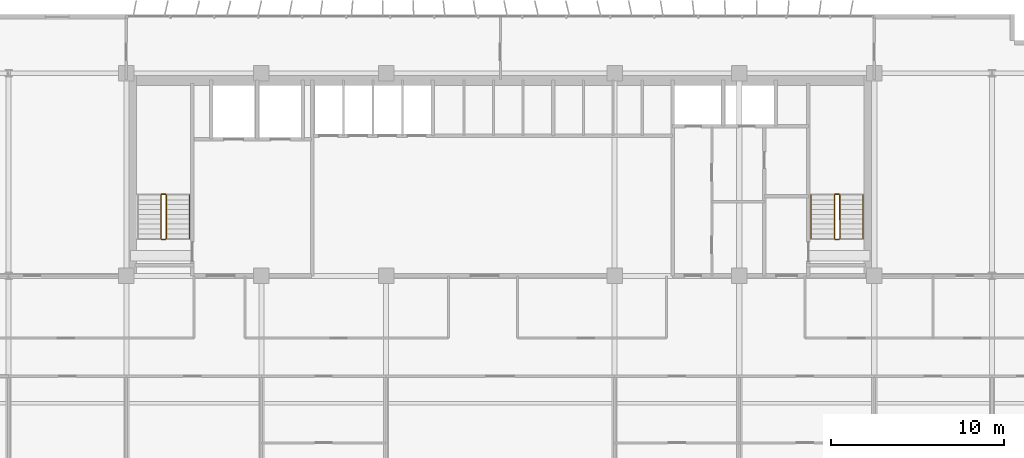
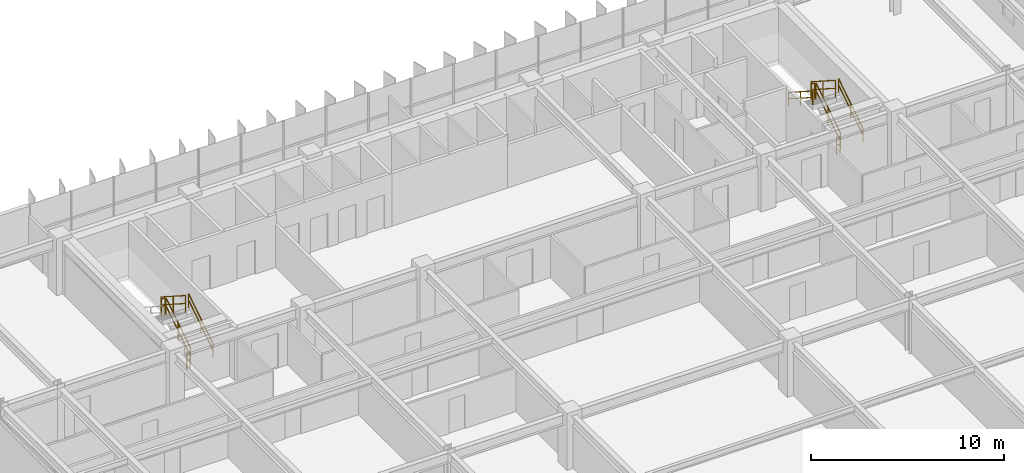
# One storey, part 20 of 21: 11 railings.
"""IFC4 building model written with IfcOpenShell, lengths in metres."""

from ifc_helpers import new_model, si_unit, direction, frame, origin, origin_2d, place, context, subcontext, project, spatial, rectangle, extrude, material, type_object, element, save


model = new_model("IFC4")

# Units and contexts
model_context = context("Model", 3, precision=1e-05, world=origin(), true_north=direction((0.0, 1.0)))
body_context = subcontext(model_context, "Body", "Model", "MODEL_VIEW")
ifc_project = project(units=[si_unit("LENGTHUNIT", "METRE"), si_unit("AREAUNIT", "SQUARE_METRE"), si_unit("VOLUMEUNIT", "CUBIC_METRE"), si_unit("PLANEANGLEUNIT", "RADIAN"), si_unit("MASSUNIT", "GRAM", prefix="KILO")], contexts=[model_context])

# Site, building, storey
site_placement = place(None, origin())
site = spatial("IfcSite", under=ifc_project, at=site_placement, CompositionType="ELEMENT")
building_placement = place(site_placement, origin())
building = spatial("IfcBuilding", under=site, at=building_placement, Name="Trelvane Seafront Commons", CompositionType="ELEMENT")
storey_placement = place(building_placement, frame((0.0, 0.0, 37.89990234375)))
storey = spatial("IfcBuildingStorey", under=building, at=storey_placement, Name="L09", CompositionType="ELEMENT", Elevation=37.89990234375)

# Railings
ifc_material = material(Name="Stainless steel balustrade", Category="steel")
railing_type_1 = type_object("IfcRailingType", Name="ARCH-SRL-GUARD", PredefinedType="GUARDRAIL", material=ifc_material)
railing_1_placement = place(storey_placement, frame((17.89990234375, 35.550048828125, 0.18017578125)))
element("IfcRailing", 1, at=railing_1_placement, inside=storey, type_object=railing_type_1, Name="L09 ST-1 stair guard 1", PredefinedType="GUARDRAIL", context=body_context, shape_type="SweptSolid", body=[
    extrude(rectangle(XDim=0.048095703125, YDim=0.048095703125, at=origin_2d()), frame((0.0, 0.0, 1.076171875), z_axis=(0.0, 0.841199657755, 0.540724639528), x_axis=(-1.0, 0.0, 0.0)), (0.0, 0.0, 1.0), 2.995849609375),
    extrude(rectangle(XDim=0.048095703125, YDim=0.048095703125, at=origin_2d()), frame((0.0, 0.0, 0.572021484375), z_axis=(0.0, 0.841199657755, 0.540724639528), x_axis=(-1.0, 0.0, 0.0)), (0.0, 0.0, 1.0), 2.995849609375),
    extrude(rectangle(XDim=0.0419921875, YDim=0.0419921875, at=origin_2d()), origin(), (0.0, 0.0, 1.0), 1.076171875),
    extrude(rectangle(XDim=0.0419921875, YDim=0.0419921875, at=origin_2d()), frame((0.0, 1.260009765625, 0.81005859375)), (0.0, 0.0, 1.0), 1.076171875),
    extrude(rectangle(XDim=0.0419921875, YDim=0.0419921875, at=origin_2d()), frame((0.0, 2.52001953125, 1.619873046875)), (0.0, 0.0, 1.0), 1.076171875),
])
railing_2_placement = place(storey_placement, frame((17.85009765625, 38.1201171875, 1.800048828125)))
element("IfcRailing", 2, at=railing_2_placement, inside=storey, type_object=railing_type_1, Name="L09 ST-1 stair guard 2", PredefinedType="GUARDRAIL", context=body_context, shape_type="SweptSolid", body=[
    extrude(rectangle(XDim=0.048095703125, YDim=0.048095703125, at=origin_2d()), frame((0.0, 0.0, 1.076171875), z_axis=(-1.0, 0.0, 0.0), x_axis=(0.0, -1.0, 0.0)), (0.0, 0.0, 1.0), 0.2001953125),
    extrude(rectangle(XDim=0.048095703125, YDim=0.048095703125, at=origin_2d()), frame((0.0, 0.0, 0.572021484375), z_axis=(-1.0, 0.0, 0.0), x_axis=(0.0, -1.0, 0.0)), (0.0, 0.0, 1.0), 0.2001953125),
    extrude(rectangle(XDim=0.0419921875, YDim=0.0419921875, at=origin_2d()), origin(), (0.0, 0.0, 1.0), 1.076171875),
    extrude(rectangle(XDim=0.0419921875, YDim=0.0419921875, at=origin_2d()), frame((-0.2001953125, 0.0, 0.0)), (0.0, 0.0, 1.0), 1.076171875),
])
railing_3_placement = place(storey_placement, frame((17.60009765625, 38.070068359375, 1.97998046875)))
element("IfcRailing", 3, at=railing_3_placement, inside=storey, type_object=railing_type_1, Name="L09 ST-1 stair guard 3", PredefinedType="GUARDRAIL", context=body_context, shape_type="SweptSolid", body=[
    extrude(rectangle(XDim=0.048095703125, YDim=0.048095703125, at=origin_2d()), frame((0.0, 0.0, 1.076171875), z_axis=(0.0, -0.841162588446, 0.540782303519), x_axis=(1.0, 0.0, 0.0)), (0.0, 0.0, 1.0), 2.995849609375),
    extrude(rectangle(XDim=0.048095703125, YDim=0.048095703125, at=origin_2d()), frame((0.0, 0.0, 0.572021484375), z_axis=(0.0, -0.841162588446, 0.540782303519), x_axis=(1.0, 0.0, 0.0)), (0.0, 0.0, 1.0), 2.995849609375),
    extrude(rectangle(XDim=0.0419921875, YDim=0.0419921875, at=origin_2d()), origin(), (0.0, 0.0, 1.0), 1.076171875),
    extrude(rectangle(XDim=0.0419921875, YDim=0.0419921875, at=origin_2d()), frame((0.0, -1.260009765625, 0.81005859375)), (0.0, 0.0, 1.0), 1.076171875),
    extrude(rectangle(XDim=0.0419921875, YDim=0.0419921875, at=origin_2d()), frame((0.0, -2.52001953125, 1.6201171875)), (0.0, 0.0, 1.0), 1.076171875),
])
railing_4_placement = place(storey_placement, frame((17.85009765625, 35.5, 0.0)))
element("IfcRailing", 4, at=railing_4_placement, inside=storey, type_object=railing_type_1, Name="L09 ST-1 stair guard 4", PredefinedType="GUARDRAIL", context=body_context, shape_type="SweptSolid", body=[
    extrude(rectangle(XDim=0.048095703125, YDim=0.048095703125, at=origin_2d()), frame((0.0, 0.0, 1.076171875), z_axis=(-1.0, 0.0, 0.0), x_axis=(0.0, -1.0, 0.0)), (0.0, 0.0, 1.0), 0.2001953125),
    extrude(rectangle(XDim=0.048095703125, YDim=0.048095703125, at=origin_2d()), frame((0.0, 0.0, 0.572021484375), z_axis=(-1.0, 0.0, 0.0), x_axis=(0.0, -1.0, 0.0)), (0.0, 0.0, 1.0), 0.2001953125),
    extrude(rectangle(XDim=0.0419921875, YDim=0.0419921875, at=origin_2d()), origin(), (0.0, 0.0, 1.0), 1.076171875),
    extrude(rectangle(XDim=0.0419921875, YDim=0.0419921875, at=origin_2d()), frame((-0.2001953125, 0.0, 0.0)), (0.0, 0.0, 1.0), 1.076171875),
])
railing_5_placement = place(storey_placement, frame((56.800048828125, 35.550048828125, 0.18017578125)))
element("IfcRailing", 5, at=railing_5_placement, inside=storey, type_object=railing_type_1, Name="L09 ST-2 stair guard 1", PredefinedType="GUARDRAIL", context=body_context, shape_type="SweptSolid", body=[
    extrude(rectangle(XDim=0.048095703125, YDim=0.048095703125, at=origin_2d()), frame((0.0, 0.0, 1.076171875), z_axis=(0.0, 0.841199657755, 0.540724639528), x_axis=(-1.0, 0.0, 0.0)), (0.0, 0.0, 1.0), 2.995849609375),
    extrude(rectangle(XDim=0.048095703125, YDim=0.048095703125, at=origin_2d()), frame((0.0, 0.0, 0.572021484375), z_axis=(0.0, 0.841199657755, 0.540724639528), x_axis=(-1.0, 0.0, 0.0)), (0.0, 0.0, 1.0), 2.995849609375),
    extrude(rectangle(XDim=0.0419921875, YDim=0.0419921875, at=origin_2d()), origin(), (0.0, 0.0, 1.0), 1.076171875),
    extrude(rectangle(XDim=0.0419921875, YDim=0.0419921875, at=origin_2d()), frame((0.0, 1.260009765625, 0.81005859375)), (0.0, 0.0, 1.0), 1.076171875),
    extrude(rectangle(XDim=0.0419921875, YDim=0.0419921875, at=origin_2d()), frame((0.0, 2.52001953125, 1.619873046875)), (0.0, 0.0, 1.0), 1.076171875),
])
railing_6_placement = place(storey_placement, frame((56.75, 38.1201171875, 1.800048828125)))
element("IfcRailing", 6, at=railing_6_placement, inside=storey, type_object=railing_type_1, Name="L09 ST-2 stair guard 2", PredefinedType="GUARDRAIL", context=body_context, shape_type="SweptSolid", body=[
    extrude(rectangle(XDim=0.048095703125, YDim=0.048095703125, at=origin_2d()), frame((0.0, 0.0, 1.076171875), z_axis=(-1.0, 0.0, 0.0), x_axis=(0.0, -1.0, 0.0)), (0.0, 0.0, 1.0), 0.199951171875),
    extrude(rectangle(XDim=0.048095703125, YDim=0.048095703125, at=origin_2d()), frame((0.0, 0.0, 0.572021484375), z_axis=(-1.0, 0.0, 0.0), x_axis=(0.0, -1.0, 0.0)), (0.0, 0.0, 1.0), 0.199951171875),
    extrude(rectangle(XDim=0.0419921875, YDim=0.0419921875, at=origin_2d()), origin(), (0.0, 0.0, 1.0), 1.076171875),
    extrude(rectangle(XDim=0.0419921875, YDim=0.0419921875, at=origin_2d()), frame((-0.199951171875, 0.0, 0.0)), (0.0, 0.0, 1.0), 1.076171875),
])
railing_7_placement = place(storey_placement, frame((56.5, 38.070068359375, 1.97998046875)))
element("IfcRailing", 7, at=railing_7_placement, inside=storey, type_object=railing_type_1, Name="L09 ST-2 stair guard 3", PredefinedType="GUARDRAIL", context=body_context, shape_type="SweptSolid", body=[
    extrude(rectangle(XDim=0.048095703125, YDim=0.048095703125, at=origin_2d()), frame((0.0, 0.0, 1.076171875), z_axis=(0.0, -0.841162588446, 0.540782303519), x_axis=(1.0, 0.0, 0.0)), (0.0, 0.0, 1.0), 2.995849609375),
    extrude(rectangle(XDim=0.048095703125, YDim=0.048095703125, at=origin_2d()), frame((0.0, 0.0, 0.572021484375), z_axis=(0.0, -0.841162588446, 0.540782303519), x_axis=(1.0, 0.0, 0.0)), (0.0, 0.0, 1.0), 2.995849609375),
    extrude(rectangle(XDim=0.0419921875, YDim=0.0419921875, at=origin_2d()), origin(), (0.0, 0.0, 1.0), 1.076171875),
    extrude(rectangle(XDim=0.0419921875, YDim=0.0419921875, at=origin_2d()), frame((0.0, -1.260009765625, 0.81005859375)), (0.0, 0.0, 1.0), 1.076171875),
    extrude(rectangle(XDim=0.0419921875, YDim=0.0419921875, at=origin_2d()), frame((0.0, -2.52001953125, 1.6201171875)), (0.0, 0.0, 1.0), 1.076171875),
])
railing_8_placement = place(storey_placement, frame((56.75, 35.5, 0.0)))
element("IfcRailing", 8, at=railing_8_placement, inside=storey, type_object=railing_type_1, Name="L09 ST-2 stair guard 4", PredefinedType="GUARDRAIL", context=body_context, shape_type="SweptSolid", body=[
    extrude(rectangle(XDim=0.048095703125, YDim=0.048095703125, at=origin_2d()), frame((0.0, 0.0, 1.076171875), z_axis=(-1.0, 0.0, 0.0), x_axis=(0.0, -1.0, 0.0)), (0.0, 0.0, 1.0), 0.199951171875),
    extrude(rectangle(XDim=0.048095703125, YDim=0.048095703125, at=origin_2d()), frame((0.0, 0.0, 0.572021484375), z_axis=(-1.0, 0.0, 0.0), x_axis=(0.0, -1.0, 0.0)), (0.0, 0.0, 1.0), 0.199951171875),
    extrude(rectangle(XDim=0.0419921875, YDim=0.0419921875, at=origin_2d()), origin(), (0.0, 0.0, 1.0), 1.076171875),
    extrude(rectangle(XDim=0.0419921875, YDim=0.0419921875, at=origin_2d()), frame((-0.199951171875, 0.0, 0.0)), (0.0, 0.0, 1.0), 1.076171875),
])
railing_type_2 = type_object("IfcRailingType", Name="ARCH-SRL-HAND", PredefinedType="HANDRAIL", material=ifc_material)
for number, where, name in (
    (9, (19.25, 35.550048828125, 0.18017578125), "L09 ST-1 stair handrail 1"),
    (10, (58.14990234375, 35.550048828125, 0.18017578125), "L09 ST-2 stair handrail 1"),
):
    element("IfcRailing", number, at=place(storey_placement, frame(where)), inside=storey, type_object=railing_type_2, Name=name, PredefinedType="HANDRAIL", context=body_context, shape_type="SweptSolid", body=[
        extrude(rectangle(XDim=0.048095703125, YDim=0.048095703125, at=origin_2d()), frame((0.0, 0.0, 0.8759765625), z_axis=(0.0, 0.841199657755, 0.540724639528), x_axis=(-1.0, 0.0, 0.0)), (0.0, 0.0, 1.0), 2.995849609375),
        extrude(rectangle(XDim=0.048095703125, YDim=0.048095703125, at=origin_2d()), frame((0.0, 0.0, 0.468017578125), z_axis=(0.0, 0.841199657755, 0.540724639528), x_axis=(-1.0, 0.0, 0.0)), (0.0, 0.0, 1.0), 2.995849609375),
        extrude(rectangle(XDim=0.0419921875, YDim=0.0419921875, at=origin_2d()), origin(), (0.0, 0.0, 1.0), 0.8759765625),
        extrude(rectangle(XDim=0.0419921875, YDim=0.0419921875, at=origin_2d()), frame((0.0, 1.260009765625, 0.81005859375)), (0.0, 0.0, 1.0), 0.8759765625),
        extrude(rectangle(XDim=0.0419921875, YDim=0.0419921875, at=origin_2d()), frame((0.0, 2.52001953125, 1.619873046875)), (0.0, 0.0, 1.0), 0.8759765625),
    ])
railing_9_placement = place(storey_placement, frame((55.14990234375, 38.070068359375, 1.97998046875)))
element("IfcRailing", 11, at=railing_9_placement, inside=storey, type_object=railing_type_2, Name="L09 ST-2 stair handrail 2", PredefinedType="HANDRAIL", context=body_context, shape_type="SweptSolid", body=[
    extrude(rectangle(XDim=0.048095703125, YDim=0.048095703125, at=origin_2d()), frame((0.0, 0.0, 0.8759765625), z_axis=(0.0, -0.841162588446, 0.540782303519), x_axis=(1.0, 0.0, 0.0)), (0.0, 0.0, 1.0), 2.995849609375),
    extrude(rectangle(XDim=0.048095703125, YDim=0.048095703125, at=origin_2d()), frame((0.0, 0.0, 0.468017578125), z_axis=(0.0, -0.841162588446, 0.540782303519), x_axis=(1.0, 0.0, 0.0)), (0.0, 0.0, 1.0), 2.995849609375),
    extrude(rectangle(XDim=0.0419921875, YDim=0.0419921875, at=origin_2d()), origin(), (0.0, 0.0, 1.0), 0.8759765625),
    extrude(rectangle(XDim=0.0419921875, YDim=0.0419921875, at=origin_2d()), frame((0.0, -1.260009765625, 0.81005859375)), (0.0, 0.0, 1.0), 0.8759765625),
    extrude(rectangle(XDim=0.0419921875, YDim=0.0419921875, at=origin_2d()), frame((0.0, -2.52001953125, 1.6201171875)), (0.0, 0.0, 1.0), 0.8759765625),
])

save(model, "model.ifc")
